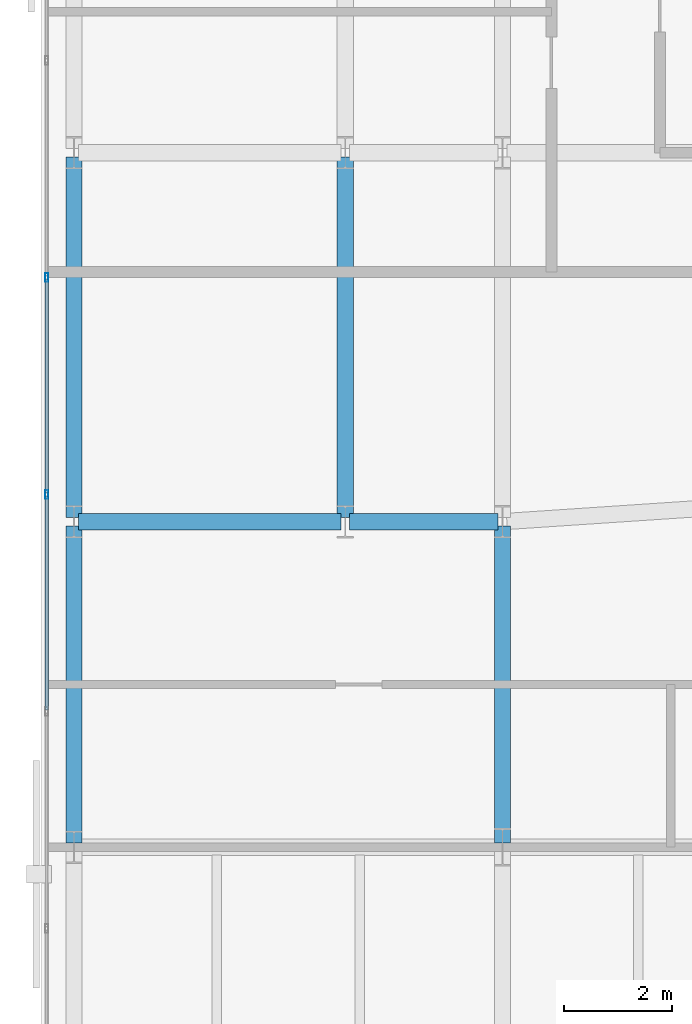
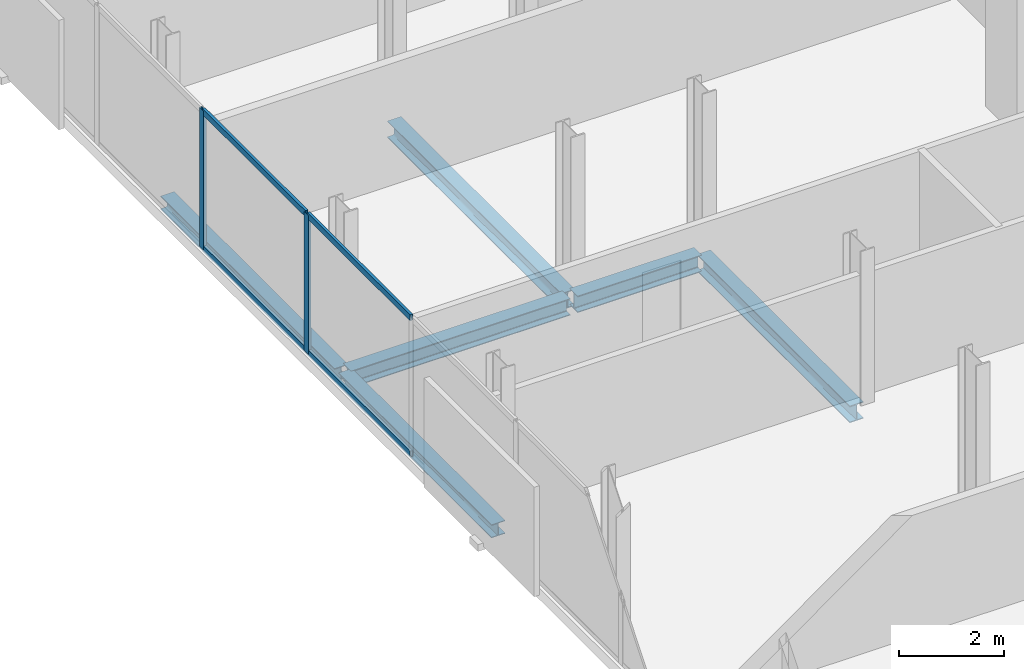
# One storey, part 9 of 32: 6 beams, 6 members, 1 element without a shape of its own.
"""IFC4 building model written with IfcOpenShell, lengths in metres."""

from ifc_helpers import new_model, si_unit, direction, frame, origin, origin_2d, place, context, subcontext, project, spatial, hollow_rectangle, i_section, extrude, material, layer, layer_set, material_profile, profile_set, type_object, element, aggregate, save


model = new_model("IFC4")

# Units and contexts
model_context = context("Model", 3, precision=1e-05, world=origin(), true_north=direction((0.0, 1.0)))
body_context = subcontext(model_context, "Body", "Model", "MODEL_VIEW")
ifc_project = project(units=[si_unit("LENGTHUNIT", "METRE"), si_unit("AREAUNIT", "SQUARE_METRE"), si_unit("VOLUMEUNIT", "CUBIC_METRE"), si_unit("PLANEANGLEUNIT", "RADIAN"), si_unit("MASSUNIT", "GRAM", prefix="KILO")], contexts=[model_context])

# Site, building, storey
site_placement = place(None, origin())
site = spatial("IfcSite", under=ifc_project, at=site_placement, CompositionType="ELEMENT")
building_placement = place(site_placement, origin())
building = spatial("IfcBuilding", under=site, at=building_placement, Name="Catumbela Crestline Tower", CompositionType="ELEMENT")
storey_placement = place(building_placement, frame((0.0, 0.0, 140.4)))
storey = spatial("IfcBuildingStorey", under=building, at=storey_placement, Name="L36", CompositionType="ELEMENT", Elevation=140.4)

# Beams
ifc_material_1 = material(Name="Structural steel S355J2", Category="steel")
ifc_material_profile_1 = material_profile(ifc_material_1, i_section(OverallWidth=0.3, OverallDepth=0.39, WebThickness=0.011, FlangeThickness=0.019, FilletRadius=0.027, at=origin_2d()), Name="HEA 400")
ifc_profile_set_1 = profile_set([ifc_material_profile_1], Name="Structural steel S355J2")
beam_type_1 = type_object("IfcBeamType", Name="BG-HEA400", PredefinedType="BEAM", material=ifc_profile_set_1)
beam_1_placement = place(storey_placement, frame((0.68, 24.0, -0.455), z_axis=(1.0, 0.0, 0.0), x_axis=(0.0, 1.0, 0.0)))
element("IfcBeam", 1, at=beam_1_placement, inside=storey, type_object=beam_type_1, Name="L36 Beam BM-L36-S01", PredefinedType="BEAM", context=body_context, shape_type="SweptSolid", body=[
    extrude(i_section(OverallWidth=0.3, OverallDepth=0.39, WebThickness=0.011, FlangeThickness=0.019, FilletRadius=0.027, at=origin_2d()), origin(), (0.0, 0.0, 1.0), 4.84),
])
beam_2_placement = place(storey_placement, frame((5.68, 24.0, -0.455), z_axis=(1.0, 0.0, 0.0), x_axis=(0.0, 1.0, 0.0)))
element("IfcBeam", 2, at=beam_2_placement, inside=storey, type_object=beam_type_1, Name="L36 Beam BM-L36-S02", PredefinedType="BEAM", context=body_context, shape_type="SweptSolid", body=[
    extrude(i_section(OverallWidth=0.3, OverallDepth=0.39, WebThickness=0.011, FlangeThickness=0.019, FilletRadius=0.027, at=origin_2d()), origin(), (0.0, 0.0, 1.0), 2.74),
])
beam_3_placement = place(storey_placement, frame((5.6, 24.08, -0.455), z_axis=(0.0, 1.0, 0.0), x_axis=(-1.0, 0.0, 0.0)))
element("IfcBeam", 3, at=beam_3_placement, inside=storey, type_object=beam_type_1, Name="L36 Beam BM-L36-SN24", PredefinedType="BEAM", context=body_context, shape_type="SweptSolid", body=[
    extrude(i_section(OverallWidth=0.3, OverallDepth=0.39, WebThickness=0.011, FlangeThickness=0.019, FilletRadius=0.027, at=origin_2d()), origin(), (0.0, 0.0, 1.0), 6.64),
])
beam_4_placement = place(storey_placement, frame((8.5, 18.08, -0.455), z_axis=(0.0, 1.0, 0.0), x_axis=(-1.0, 0.0, 0.0)))
element("IfcBeam", 4, at=beam_4_placement, inside=storey, type_object=beam_type_1, Name="L36 Beam BM-L36-WNS57", PredefinedType="BEAM", context=body_context, shape_type="SweptSolid", body=[
    extrude(i_section(OverallWidth=0.3, OverallDepth=0.39, WebThickness=0.011, FlangeThickness=0.019, FilletRadius=0.027, at=origin_2d()), origin(), (0.0, 0.0, 1.0), 5.84),
])

# Curtain wall, members
ifc_material_2 = material(Name="Aluminium alloy AW-6060-T66", Category="aluminium")
ifc_layer = layer(ifc_material_2, 0.18, Name="Aluminium alloy AW-6060-T66")
ifc_layer_set = layer_set([ifc_layer], Name="Aluminium alloy AW-6060-T66")
curtain_wall_type = type_object("IfcCurtainWallType", Name="CWU-Z2", PredefinedType="USERDEFINED", material=ifc_layer_set)
curtain_wall_placement = place(storey_placement, origin())
curtain_wall = element("IfcCurtainWall", 5, at=curtain_wall_placement, inside=storey, type_object=curtain_wall_type, Name="L36 Unitised Curtain Wall CW-L36-E9S1", ObjectType="UNITISED", PredefinedType="USERDEFINED")
ifc_material_profile_2 = material_profile(ifc_material_2, hollow_rectangle(XDim=0.06, YDim=0.16, WallThickness=0.004, at=origin_2d()), Name="ALU 160x60x4")
ifc_profile_set_2 = profile_set([ifc_material_profile_2], Name="Aluminium alloy AW-6060-T66")
member_type_1 = type_object("IfcMemberType", Name="MUL-160X60", PredefinedType="MULLION", material=ifc_profile_set_2)
member_1_placement = place(storey_placement, frame((0.1, 28.5, 0.0), z_axis=(0.0, 0.0, 1.0), x_axis=(1.0, 0.0, 0.0)))
member_1 = element("IfcMember", 6, at=member_1_placement, type_object=member_type_1, Name="CWU-Z2 mullion 5", PredefinedType="MULLION", context=body_context, shape_type="SweptSolid", body=[
    extrude(hollow_rectangle(XDim=0.06, YDim=0.16, WallThickness=0.004, at=origin_2d()), origin(), (0.0, 0.0, 1.0), 3.24),
])
member_2_placement = place(storey_placement, frame((0.1, 24.5, 0.0), z_axis=(0.0, 0.0, 1.0), x_axis=(1.0, 0.0, 0.0)))
member_2 = element("IfcMember", 7, at=member_2_placement, type_object=member_type_1, Name="CWU-Z2 mullion 6", PredefinedType="MULLION", context=body_context, shape_type="SweptSolid", body=[
    extrude(hollow_rectangle(XDim=0.06, YDim=0.16, WallThickness=0.004, at=origin_2d()), origin(), (0.0, 0.0, 1.0), 3.24),
])

# Beams
ifc_material_profile_3 = material_profile(ifc_material_1, i_section(OverallWidth=0.3, OverallDepth=0.31, WebThickness=0.009, FlangeThickness=0.0155, FilletRadius=0.027, at=origin_2d()), Name="HEA 320")
ifc_profile_set_3 = profile_set([ifc_material_profile_3], Name="Structural steel S355J2")
beam_type_2 = type_object("IfcBeamType", Name="BS-HEA320", PredefinedType="SPANDREL", material=ifc_profile_set_3)
beam_5_placement = place(storey_placement, frame((0.6, 24.08, -0.415), z_axis=(0.0, 1.0, 0.0), x_axis=(-1.0, 0.0, 0.0)))
element("IfcBeam", 8, at=beam_5_placement, inside=storey, type_object=beam_type_2, Name="L36 Spandrel SP-L36-SN22", PredefinedType="SPANDREL", context=body_context, shape_type="SweptSolid", body=[
    extrude(i_section(OverallWidth=0.3, OverallDepth=0.31, WebThickness=0.009, FlangeThickness=0.0155, FilletRadius=0.027, at=origin_2d()), origin(), (0.0, 0.0, 1.0), 6.64),
])
beam_6_placement = place(storey_placement, frame((0.6, 18.08, -0.415), z_axis=(0.0, 1.0, 0.0), x_axis=(-1.0, 0.0, 0.0)))
element("IfcBeam", 9, at=beam_6_placement, inside=storey, type_object=beam_type_2, Name="L36 Spandrel SP-L36-WNS54", PredefinedType="SPANDREL", context=body_context, shape_type="SweptSolid", body=[
    extrude(i_section(OverallWidth=0.3, OverallDepth=0.31, WebThickness=0.009, FlangeThickness=0.0155, FilletRadius=0.027, at=origin_2d()), origin(), (0.0, 0.0, 1.0), 5.84),
])

# Member
ifc_material_profile_4 = material_profile(ifc_material_2, hollow_rectangle(XDim=0.06, YDim=0.14, WallThickness=0.004, at=origin_2d()), Name="ALU 140x60x4")
ifc_profile_set_4 = profile_set([ifc_material_profile_4], Name="Aluminium alloy AW-6060-T66")
member_type_2 = type_object("IfcMemberType", Name="TRN-140X60", PredefinedType="USERDEFINED", material=ifc_profile_set_4)
member_3_placement = place(storey_placement, frame((0.1, 28.4675, 0.03), z_axis=(0.0, -1.0, 0.0), x_axis=(1.0, 0.0, 0.0)))
member_3 = element("IfcMember", 10, at=member_3_placement, type_object=member_type_2, Name="CWU-Z2 transom 5.1", ObjectType="TRANSOM", PredefinedType="USERDEFINED", context=body_context, shape_type="SweptSolid", body=[
    extrude(hollow_rectangle(XDim=0.06, YDim=0.14, WallThickness=0.004, at=origin_2d()), origin(), (0.0, 0.0, 1.0), 3.935),
])

member_4_placement = place(storey_placement, frame((0.1, 28.4675, 3.21), z_axis=(0.0, -1.0, 0.0), x_axis=(1.0, 0.0, 0.0)))
member_4 = element("IfcMember", 11, at=member_4_placement, type_object=member_type_2, Name="CWU-Z2 transom 5.2", ObjectType="TRANSOM", PredefinedType="USERDEFINED", context=body_context, shape_type="SweptSolid", body=[
    extrude(hollow_rectangle(XDim=0.06, YDim=0.14, WallThickness=0.004, at=origin_2d()), origin(), (0.0, 0.0, 1.0), 3.935),
])

member_5_placement = place(storey_placement, frame((0.1, 24.4675, 0.03), z_axis=(0.0, -1.0, 0.0), x_axis=(1.0, 0.0, 0.0)))
member_5 = element("IfcMember", 12, at=member_5_placement, type_object=member_type_2, Name="CWU-Z2 transom 6.1", ObjectType="TRANSOM", PredefinedType="USERDEFINED", context=body_context, shape_type="SweptSolid", body=[
    extrude(hollow_rectangle(XDim=0.06, YDim=0.14, WallThickness=0.004, at=origin_2d()), origin(), (0.0, 0.0, 1.0), 3.935),
])

member_6_placement = place(storey_placement, frame((0.1, 24.4675, 3.21), z_axis=(0.0, -1.0, 0.0), x_axis=(1.0, 0.0, 0.0)))
member_6 = element("IfcMember", 13, at=member_6_placement, type_object=member_type_2, Name="CWU-Z2 transom 6.2", ObjectType="TRANSOM", PredefinedType="USERDEFINED", context=body_context, shape_type="SweptSolid", body=[
    extrude(hollow_rectangle(XDim=0.06, YDim=0.14, WallThickness=0.004, at=origin_2d()), origin(), (0.0, 0.0, 1.0), 3.935),
])

aggregate(curtain_wall, [member_1, member_2, member_3, member_4, member_5, member_6])

save(model, "model.ifc")
